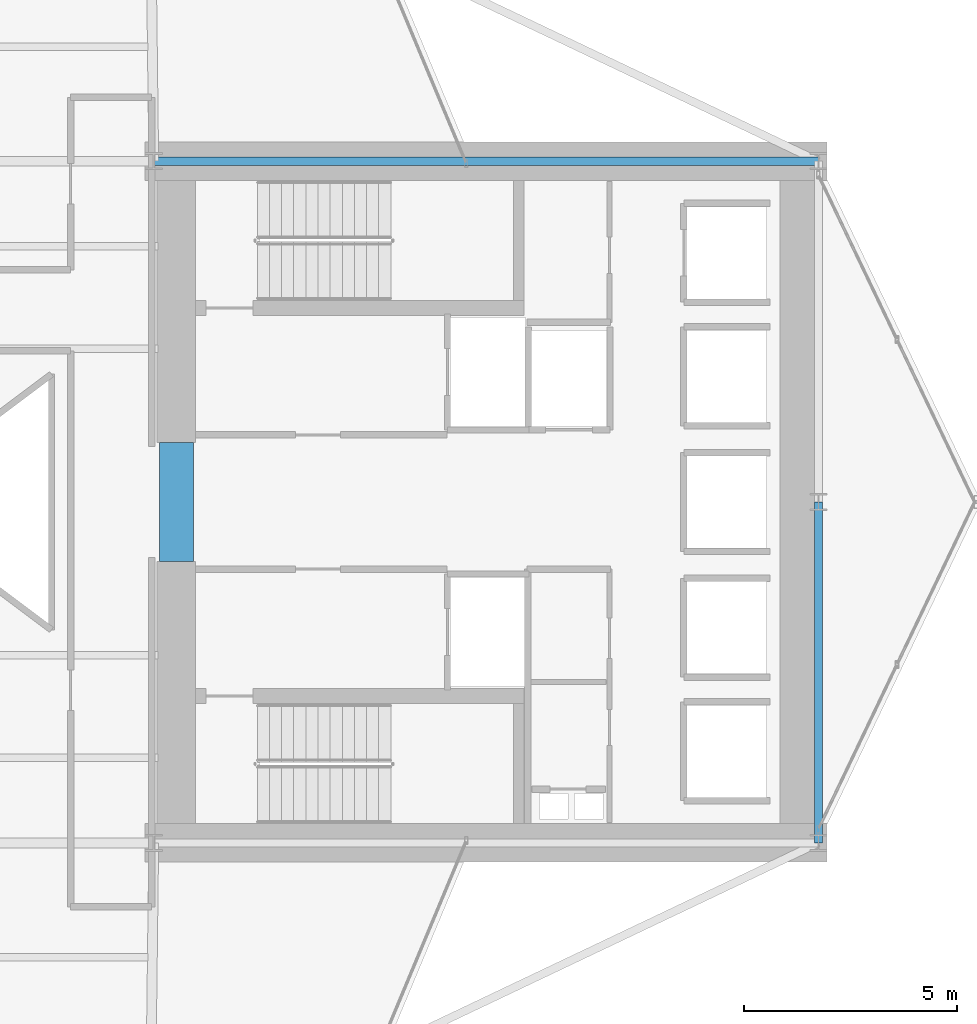
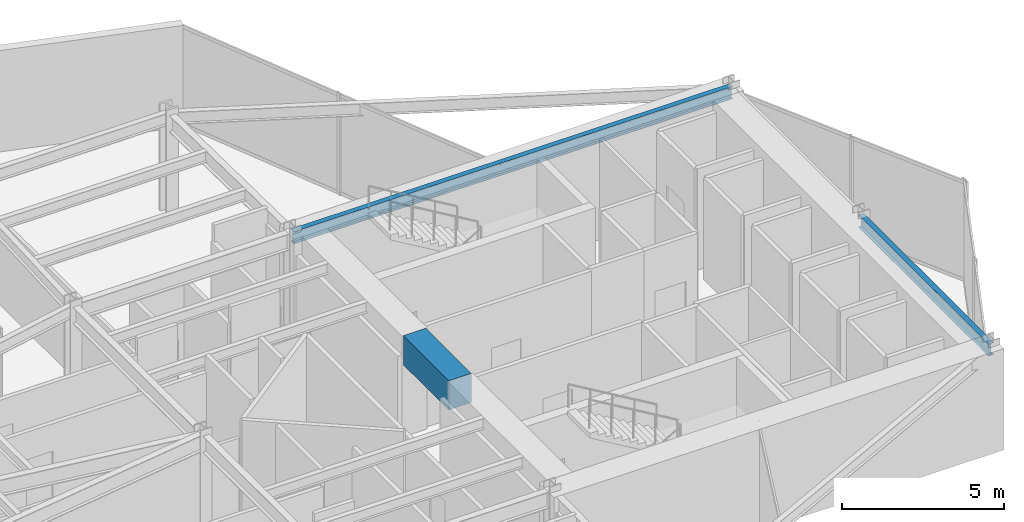
# One storey, part 13 of 24: 3 beams.
"""IFC4 building model written with IfcOpenShell, lengths in metres."""

import ifcopenshell
import ifcopenshell.guid

model = None  # the IFC model being written
_history = None  # IfcOwnerHistory: only IFC2X3 demands one
_inside = {}  # id of a spatial element -> (the spatial element, [elements in it])
_under = {}  # id of a project, library or spatial element -> (it, [spatial elements below it])
_declared = {}  # id of a project -> (the project, [libraries it declares])
_typed = {}  # id of a type object -> (the type object, [elements of that type])
_made_of = {}  # id of a material, layer set ... -> (it, [elements and type objects made of it])


def new_model(schema):
    """Start an empty IFC model of exactly this schema.

    Asked for "IFC4X3", IfcOpenShell would pick the latest addendum, in which some entities
    have other attributes; the version numbers below select the first issue.
    IFC2X3 requires an IfcOwnerHistory on every rooted entity: one is made here for all.
    """
    global model, _history
    if schema == "IFC4X3":
        model = ifcopenshell.file(schema_version=(4, 3, 0, 0))
    else:
        model = ifcopenshell.file(schema=schema)
    _inside.clear()
    _under.clear()
    _declared.clear()
    _typed.clear()
    _made_of.clear()
    _history = None
    if model.schema == "IFC2X3":
        org = make("IfcOrganization", Name="unknown")
        user = make(
            "IfcPersonAndOrganization",
            ThePerson=make("IfcPerson", FamilyName="unknown"),
            TheOrganization=org,
        )
        app = make(
            "IfcApplication",
            ApplicationDeveloper=org,
            Version="unknown",
            ApplicationFullName="unknown",
            ApplicationIdentifier="unknown",
        )
        _history = make(
            "IfcOwnerHistory",
            OwningUser=user,
            OwningApplication=app,
            ChangeAction="ADDED",
            CreationDate=0,
        )
    return model


def make(cls, **values):
    """One entity of the class cls with the attributes given. An attribute that is None is left unset."""
    return model.create_entity(
        cls, **{name: value for name, value in values.items() if value is not None}
    )


def rooted(cls, **values):
    """An entity with a GlobalId (a new one), such as an element, a storey or a relation."""
    return make(cls, GlobalId=ifcopenshell.guid.new(), OwnerHistory=_history, **values)


def si_unit(unit_type, name, prefix=None):
    """IfcSIUnit, for example si_unit("LENGTHUNIT", "METRE", prefix="MILLI")."""
    return make("IfcSIUnit", UnitType=unit_type, Prefix=prefix, Name=name)


def assignment(units):
    """IfcUnitAssignment: the units of a project."""
    return None if units is None else make("IfcUnitAssignment", Units=units)


def point(xyz):
    """IfcCartesianPoint."""
    return None if xyz is None else make("IfcCartesianPoint", Coordinates=xyz)


def direction(xyz):
    """IfcDirection."""
    return None if xyz is None else make("IfcDirection", DirectionRatios=xyz)


def frame(location, z_axis=None, x_axis=None):
    """IfcAxis2Placement3D, a coordinate frame: its origin and axes. An axis left out is left unset."""
    return make(
        "IfcAxis2Placement3D",
        Location=point(location),
        Axis=direction(z_axis),
        RefDirection=direction(x_axis),
    )


def frame_2d(location, x_axis=None):
    """IfcAxis2Placement2D, a coordinate frame in the plane: its origin and x axis."""
    return make(
        "IfcAxis2Placement2D", Location=point(location), RefDirection=direction(x_axis)
    )


def origin():
    """The frame at (0, 0, 0) with its axes left unset."""
    return frame((0.0, 0.0, 0.0))


def origin_2d():
    """The frame at (0, 0) in the plane with its x axis left unset."""
    return frame_2d((0.0, 0.0))


def place(relative_to, where):
    """IfcLocalPlacement: puts the frame where relative to a parent placement (None: the world)."""
    return make(
        "IfcLocalPlacement", PlacementRelTo=relative_to, RelativePlacement=where
    )


def context(
    kind, dimensions, precision=None, world=None, true_north=None, identifier=None
):
    """IfcGeometricRepresentationContext, for example the 3D "Model" context."""
    return make(
        "IfcGeometricRepresentationContext",
        ContextIdentifier=identifier,
        ContextType=kind,
        CoordinateSpaceDimension=dimensions,
        Precision=precision,
        WorldCoordinateSystem=world,
        TrueNorth=true_north,
    )


def subcontext(parent, identifier, kind, view, scale=None):
    """IfcGeometricRepresentationSubContext, for example "Body" below "Model"."""
    return make(
        "IfcGeometricRepresentationSubContext",
        ContextIdentifier=identifier,
        ContextType=kind,
        ParentContext=parent,
        TargetScale=scale,
        TargetView=view,
    )


def project(units=None, contexts=None):
    """IfcProject with its units and contexts."""
    return rooted(
        "IfcProject",
        Name="project",
        RepresentationContexts=contexts,
        UnitsInContext=assignment(units),
    )


def spatial(cls, under=None, at=None, **own):
    """A site, building, storey or space (cls), placed at a placement, below another one or the project."""
    s = rooted(cls, ObjectPlacement=at, **own)
    if under is not None:
        _under.setdefault(under.id(), (under, []))[1].append(s)
    return s


def profile(cls, at=None, kind="AREA", **sizes):
    """A parametric profile (cls). Its sizes go by their IFC names, for example OverallWidth=200.0."""
    return make(cls, ProfileType=kind, Position=at, **sizes)


def rectangle(**sizes):
    """IfcRectangleProfileDef."""
    return profile("IfcRectangleProfileDef", **sizes)


def i_section(**sizes):
    """IfcIShapeProfileDef."""
    return profile("IfcIShapeProfileDef", **sizes)


def extrude(swept, where, along, depth):
    """IfcExtrudedAreaSolid: the profile swept, set in the frame where, extruded along a direction by depth."""
    return make(
        "IfcExtrudedAreaSolid",
        SweptArea=swept,
        Position=where,
        ExtrudedDirection=direction(along),
        Depth=depth,
    )


def shape(context_of_items, identifier, shape_type, items):
    """IfcShapeRepresentation: the items that make up one representation, for example the "Body"."""
    return make(
        "IfcShapeRepresentation",
        ContextOfItems=context_of_items,
        RepresentationIdentifier=identifier,
        RepresentationType=shape_type,
        Items=items,
    )


def material(Name=None, Category=None):
    """IfcMaterial."""
    return make("IfcMaterial", Name=Name, Category=Category)


def material_profile(
    of_material, cross_section, Name=None, Category=None, Priority=None
):
    """IfcMaterialProfile: a cross section and its material."""
    return make(
        "IfcMaterialProfile",
        Name=Name,
        Material=of_material,
        Profile=cross_section,
        Priority=Priority,
        Category=Category,
    )


def profile_set(profiles, Name=None, composite=None):
    """IfcMaterialProfileSet."""
    return make(
        "IfcMaterialProfileSet",
        Name=Name,
        MaterialProfiles=profiles,
        CompositeProfile=composite,
    )


def made_of(thing, what):
    """Note that an element or type object is made of a material, layer set ...; save() writes the relation."""
    if what is not None:
        _made_of.setdefault(what.id(), (what, []))[1].append(thing)
    return thing


def type_object(cls, material=None, **own):
    """A type object (cls), such as IfcWallType, which elements share."""
    return made_of(rooted(cls, **own), material)


def element(
    cls,
    number,
    at=None,
    inside=None,
    cuts=None,
    type_object=None,
    material=None,
    context=None,
    identifier="Body",
    shape_type=None,
    held_by="IfcProductDefinitionShape",
    body=None,
    shapes=None,
    **own,
):
    """One element of the class cls, such as IfcWall. Its Tag is "e" and its number.

    at: its placement. inside: the storey or other place that contains it. cuts: it is an
    opening in that element (IfcRelVoidsElement). A single representation is given by context,
    identifier, shape_type and body (its items); several are given by shapes. held_by: the class
    of the entity that holds the representations. save() writes the other relations.
    """
    e = rooted(cls, Tag="e%d" % number, ObjectPlacement=at, **own)
    if body is not None:
        shapes = [shape(context, identifier, shape_type, body)]
    if shapes is not None:
        e.Representation = make(held_by, Representations=shapes)
    if inside is not None:
        _inside.setdefault(inside.id(), (inside, []))[1].append(e)
    if cuts is not None:
        rooted(
            "IfcRelVoidsElement", RelatingBuildingElement=cuts, RelatedOpeningElement=e
        )
    if type_object is not None:
        _typed.setdefault(type_object.id(), (type_object, []))[1].append(e)
    return made_of(e, material)


def aggregate(whole, parts):
    """IfcRelAggregates: a whole, such as a stair, and the parts it consists of."""
    return rooted("IfcRelAggregates", RelatingObject=whole, RelatedObjects=parts)


def save(model, path):
    """Write the relations noted so far, then the file.

    IfcRelAggregates (storeys below a building ...), IfcRelContainedInSpatialStructure (elements
    in a storey), IfcRelDefinesByType, IfcRelAssociatesMaterial and IfcRelDeclares: one each for
    every whole, place, type object, material and project.
    """
    for whole, parts in _under.values():
        aggregate(whole, parts)
    for where, things in _inside.values():
        rooted(
            "IfcRelContainedInSpatialStructure",
            RelatedElements=things,
            RelatingStructure=where,
        )
    for kind, things in _typed.values():
        rooted("IfcRelDefinesByType", RelatedObjects=things, RelatingType=kind)
    for what, things in _made_of.values():
        rooted("IfcRelAssociatesMaterial", RelatedObjects=things, RelatingMaterial=what)
    for by, libraries in _declared.values():
        rooted("IfcRelDeclares", RelatingContext=by, RelatedDefinitions=libraries)
    model.write(path)


model = new_model("IFC4")

# Units and contexts
model_context = context("Model", 3, precision=1e-05, world=origin(), true_north=direction((0.0, 1.0)))
body_context = subcontext(model_context, "Body", "Model", "MODEL_VIEW")
ifc_project = project(units=[si_unit("LENGTHUNIT", "METRE"), si_unit("AREAUNIT", "SQUARE_METRE"), si_unit("VOLUMEUNIT", "CUBIC_METRE"), si_unit("PLANEANGLEUNIT", "RADIAN"), si_unit("MASSUNIT", "GRAM", prefix="KILO")], contexts=[model_context])

# Site, building, storey
site_placement = place(None, origin())
site = spatial("IfcSite", under=ifc_project, at=site_placement, CompositionType="ELEMENT")
building_placement = place(site_placement, origin())
building = spatial("IfcBuilding", under=site, at=building_placement, Name="Veymaron Broadcast Tower", CompositionType="ELEMENT")
storey_placement = place(building_placement, frame((0.0, 0.0, 78.300048828125)))
storey = spatial("IfcBuildingStorey", under=building, at=storey_placement, Name="L17", CompositionType="ELEMENT", Elevation=78.300048828125)

# Beams
ifc_material_1 = material(Name="Concrete C70/85", Category="concrete")
ifc_material_profile_1 = material_profile(ifc_material_1, rectangle(XDim=0.800048828125, YDim=1.10009765625, at=origin_2d()), Name="RC800X1100")
ifc_profile_set_1 = profile_set([ifc_material_profile_1], Name="Concrete C70/85")
beam_type_1 = type_object("IfcBeamType", Name="BM-CB1", PredefinedType="LINTEL", material=ifc_profile_set_1)
beam_1_placement = place(storey_placement, frame((39.530029296875, 22.60009765625, 3.260009765625), z_axis=(0.0, 1.0, 0.0), x_axis=(-1.0, 0.0, 0.0)))
element("IfcBeam", 1, at=beam_1_placement, inside=storey, type_object=beam_type_1, Name="L17 Core Wall west coupling beam", PredefinedType="LINTEL", context=body_context, shape_type="SweptSolid", body=[
    extrude(rectangle(XDim=0.800048828125, YDim=1.10009765625, at=origin_2d()), origin(), (0.0, 0.0, 1.0), 2.7998046875),
])
ifc_material_2 = material(Name="Structural steel ASTM A992 Gr 50", Category="steel")
ifc_material_profile_2 = material_profile(ifc_material_2, i_section(OverallWidth=0.19091796875, OverallDepth=0.4599609375, WebThickness=0.010009765625, FlangeThickness=0.01611328125, at=origin_2d()), Name="W460X82")
ifc_profile_set_2 = profile_set([ifc_material_profile_2], Name="Structural steel ASTM A992 Gr 50")
beam_type_2 = type_object("IfcBeamType", Name="BM-SP1", PredefinedType="SPANDREL", material=ifc_profile_set_2)
beam_2_placement = place(storey_placement, frame((39.0, 32.0, 3.579833984375), z_axis=(1.0, 0.0, 0.0), x_axis=(0.0, 1.0, 0.0)))
element("IfcBeam", 2, at=beam_2_placement, inside=storey, type_object=beam_type_2, Name="L17 primary structural floor girder", PredefinedType="SPANDREL", context=body_context, shape_type="SweptSolid", body=[
    extrude(i_section(OverallWidth=0.19091796875, OverallDepth=0.4599609375, WebThickness=0.010009765625, FlangeThickness=0.01611328125, at=origin_2d()), origin(), (0.0, 0.0, 1.0), 15.60009765625),
])
beam_3_placement = place(storey_placement, frame((54.60009765625, 16.0, 3.579833984375), z_axis=(0.0, 1.0, 0.0), x_axis=(-1.0, 0.0, 0.0)))
element("IfcBeam", 3, at=beam_3_placement, inside=storey, type_object=beam_type_2, Name="L17 primary structural floor girder", PredefinedType="SPANDREL", context=body_context, shape_type="SweptSolid", body=[
    extrude(i_section(OverallWidth=0.19091796875, OverallDepth=0.4599609375, WebThickness=0.010009765625, FlangeThickness=0.01611328125, at=origin_2d()), origin(), (0.0, 0.0, 1.0), 8.0),
])

save(model, "model.ifc")
